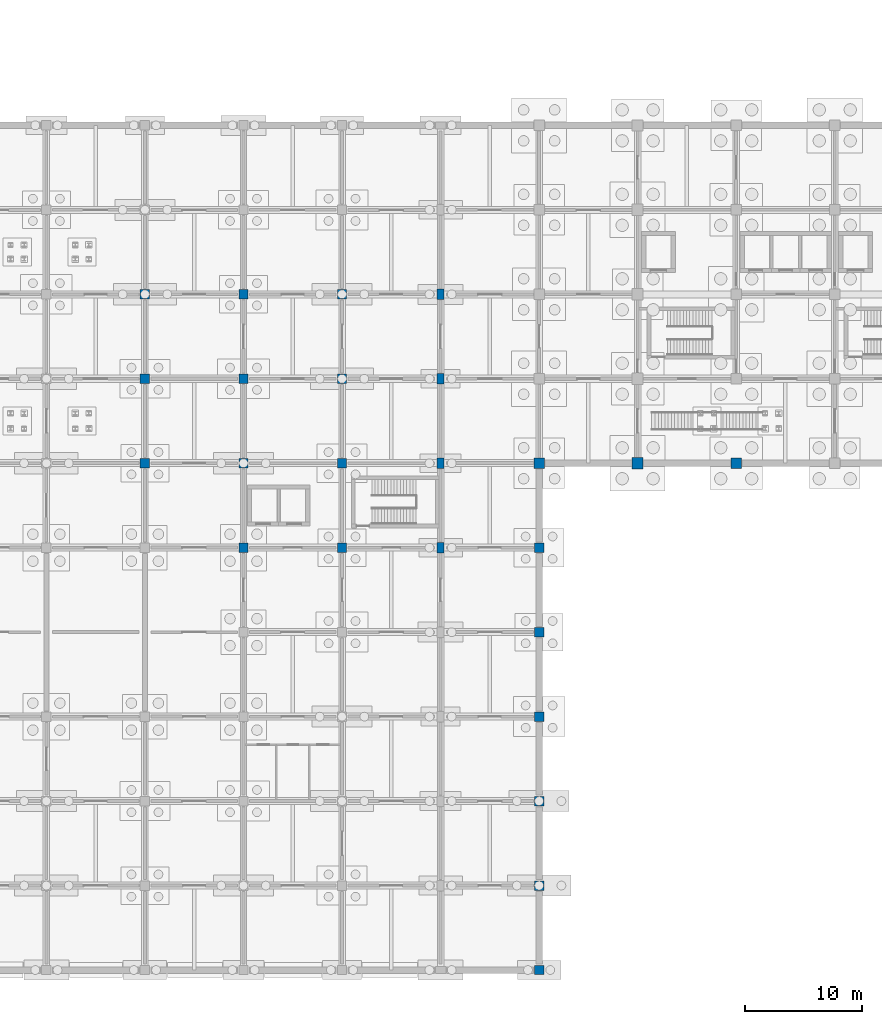
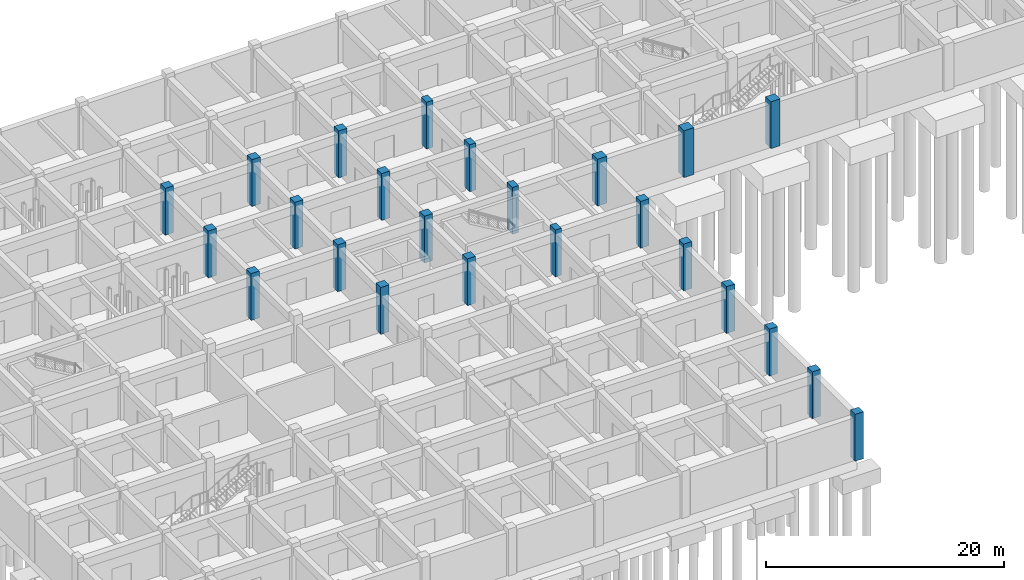
# One storey, part 9 of 38: 24 columns.
"""IFC4 building model written with IfcOpenShell, lengths in metres."""

import ifcopenshell
import ifcopenshell.guid

model = None  # the IFC model being written
_history = None  # IfcOwnerHistory: only IFC2X3 demands one
_inside = {}  # id of a spatial element -> (the spatial element, [elements in it])
_under = {}  # id of a project, library or spatial element -> (it, [spatial elements below it])
_declared = {}  # id of a project -> (the project, [libraries it declares])
_typed = {}  # id of a type object -> (the type object, [elements of that type])
_made_of = {}  # id of a material, layer set ... -> (it, [elements and type objects made of it])


def new_model(schema):
    """Start an empty IFC model of exactly this schema.

    Asked for "IFC4X3", IfcOpenShell would pick the latest addendum, in which some entities
    have other attributes; the version numbers below select the first issue.
    IFC2X3 requires an IfcOwnerHistory on every rooted entity: one is made here for all.
    """
    global model, _history
    if schema == "IFC4X3":
        model = ifcopenshell.file(schema_version=(4, 3, 0, 0))
    else:
        model = ifcopenshell.file(schema=schema)
    _inside.clear()
    _under.clear()
    _declared.clear()
    _typed.clear()
    _made_of.clear()
    _history = None
    if model.schema == "IFC2X3":
        org = make("IfcOrganization", Name="unknown")
        user = make(
            "IfcPersonAndOrganization",
            ThePerson=make("IfcPerson", FamilyName="unknown"),
            TheOrganization=org,
        )
        app = make(
            "IfcApplication",
            ApplicationDeveloper=org,
            Version="unknown",
            ApplicationFullName="unknown",
            ApplicationIdentifier="unknown",
        )
        _history = make(
            "IfcOwnerHistory",
            OwningUser=user,
            OwningApplication=app,
            ChangeAction="ADDED",
            CreationDate=0,
        )
    return model


def make(cls, **values):
    """One entity of the class cls with the attributes given. An attribute that is None is left unset."""
    return model.create_entity(
        cls, **{name: value for name, value in values.items() if value is not None}
    )


def rooted(cls, **values):
    """An entity with a GlobalId (a new one), such as an element, a storey or a relation."""
    return make(cls, GlobalId=ifcopenshell.guid.new(), OwnerHistory=_history, **values)


def si_unit(unit_type, name, prefix=None):
    """IfcSIUnit, for example si_unit("LENGTHUNIT", "METRE", prefix="MILLI")."""
    return make("IfcSIUnit", UnitType=unit_type, Prefix=prefix, Name=name)


def derived_unit(unit_type, elements):
    """IfcDerivedUnit: a product of units, each with its exponent."""
    return make(
        "IfcDerivedUnit",
        Elements=[
            make("IfcDerivedUnitElement", Unit=unit, Exponent=power)
            for unit, power in elements
        ],
        UnitType=unit_type,
    )


def assignment(units):
    """IfcUnitAssignment: the units of a project."""
    return None if units is None else make("IfcUnitAssignment", Units=units)


def point(xyz):
    """IfcCartesianPoint."""
    return None if xyz is None else make("IfcCartesianPoint", Coordinates=xyz)


def direction(xyz):
    """IfcDirection."""
    return None if xyz is None else make("IfcDirection", DirectionRatios=xyz)


def frame(location, z_axis=None, x_axis=None):
    """IfcAxis2Placement3D, a coordinate frame: its origin and axes. An axis left out is left unset."""
    return make(
        "IfcAxis2Placement3D",
        Location=point(location),
        Axis=direction(z_axis),
        RefDirection=direction(x_axis),
    )


def frame_2d(location, x_axis=None):
    """IfcAxis2Placement2D, a coordinate frame in the plane: its origin and x axis."""
    return make(
        "IfcAxis2Placement2D", Location=point(location), RefDirection=direction(x_axis)
    )


def origin():
    """The frame at (0, 0, 0) with its axes left unset."""
    return frame((0.0, 0.0, 0.0))


def origin_2d():
    """The frame at (0, 0) in the plane with its x axis left unset."""
    return frame_2d((0.0, 0.0))


def place(relative_to, where):
    """IfcLocalPlacement: puts the frame where relative to a parent placement (None: the world)."""
    return make(
        "IfcLocalPlacement", PlacementRelTo=relative_to, RelativePlacement=where
    )


def context(
    kind, dimensions, precision=None, world=None, true_north=None, identifier=None
):
    """IfcGeometricRepresentationContext, for example the 3D "Model" context."""
    return make(
        "IfcGeometricRepresentationContext",
        ContextIdentifier=identifier,
        ContextType=kind,
        CoordinateSpaceDimension=dimensions,
        Precision=precision,
        WorldCoordinateSystem=world,
        TrueNorth=true_north,
    )


def subcontext(parent, identifier, kind, view, scale=None):
    """IfcGeometricRepresentationSubContext, for example "Body" below "Model"."""
    return make(
        "IfcGeometricRepresentationSubContext",
        ContextIdentifier=identifier,
        ContextType=kind,
        ParentContext=parent,
        TargetScale=scale,
        TargetView=view,
    )


def project(units=None, contexts=None):
    """IfcProject with its units and contexts."""
    return rooted(
        "IfcProject",
        Name="project",
        RepresentationContexts=contexts,
        UnitsInContext=assignment(units),
    )


def spatial(cls, under=None, at=None, **own):
    """A site, building, storey or space (cls), placed at a placement, below another one or the project."""
    s = rooted(cls, ObjectPlacement=at, **own)
    if under is not None:
        _under.setdefault(under.id(), (under, []))[1].append(s)
    return s


def profile(cls, at=None, kind="AREA", **sizes):
    """A parametric profile (cls). Its sizes go by their IFC names, for example OverallWidth=200.0."""
    return make(cls, ProfileType=kind, Position=at, **sizes)


def rectangle(**sizes):
    """IfcRectangleProfileDef."""
    return profile("IfcRectangleProfileDef", **sizes)


def extrude(swept, where, along, depth):
    """IfcExtrudedAreaSolid: the profile swept, set in the frame where, extruded along a direction by depth."""
    return make(
        "IfcExtrudedAreaSolid",
        SweptArea=swept,
        Position=where,
        ExtrudedDirection=direction(along),
        Depth=depth,
    )


def shape(context_of_items, identifier, shape_type, items):
    """IfcShapeRepresentation: the items that make up one representation, for example the "Body"."""
    return make(
        "IfcShapeRepresentation",
        ContextOfItems=context_of_items,
        RepresentationIdentifier=identifier,
        RepresentationType=shape_type,
        Items=items,
    )


def material(Name=None, Category=None):
    """IfcMaterial."""
    return make("IfcMaterial", Name=Name, Category=Category)


def material_profile(
    of_material, cross_section, Name=None, Category=None, Priority=None
):
    """IfcMaterialProfile: a cross section and its material."""
    return make(
        "IfcMaterialProfile",
        Name=Name,
        Material=of_material,
        Profile=cross_section,
        Priority=Priority,
        Category=Category,
    )


def profile_set(profiles, Name=None, composite=None):
    """IfcMaterialProfileSet."""
    return make(
        "IfcMaterialProfileSet",
        Name=Name,
        MaterialProfiles=profiles,
        CompositeProfile=composite,
    )


def made_of(thing, what):
    """Note that an element or type object is made of a material, layer set ...; save() writes the relation."""
    if what is not None:
        _made_of.setdefault(what.id(), (what, []))[1].append(thing)
    return thing


def type_object(cls, material=None, **own):
    """A type object (cls), such as IfcWallType, which elements share."""
    return made_of(rooted(cls, **own), material)


def element(
    cls,
    number,
    at=None,
    inside=None,
    cuts=None,
    type_object=None,
    material=None,
    context=None,
    identifier="Body",
    shape_type=None,
    held_by="IfcProductDefinitionShape",
    body=None,
    shapes=None,
    **own,
):
    """One element of the class cls, such as IfcWall. Its Tag is "e" and its number.

    at: its placement. inside: the storey or other place that contains it. cuts: it is an
    opening in that element (IfcRelVoidsElement). A single representation is given by context,
    identifier, shape_type and body (its items); several are given by shapes. held_by: the class
    of the entity that holds the representations. save() writes the other relations.
    """
    e = rooted(cls, Tag="e%d" % number, ObjectPlacement=at, **own)
    if body is not None:
        shapes = [shape(context, identifier, shape_type, body)]
    if shapes is not None:
        e.Representation = make(held_by, Representations=shapes)
    if inside is not None:
        _inside.setdefault(inside.id(), (inside, []))[1].append(e)
    if cuts is not None:
        rooted(
            "IfcRelVoidsElement", RelatingBuildingElement=cuts, RelatedOpeningElement=e
        )
    if type_object is not None:
        _typed.setdefault(type_object.id(), (type_object, []))[1].append(e)
    return made_of(e, material)


def aggregate(whole, parts):
    """IfcRelAggregates: a whole, such as a stair, and the parts it consists of."""
    return rooted("IfcRelAggregates", RelatingObject=whole, RelatedObjects=parts)


def save(model, path):
    """Write the relations noted so far, then the file.

    IfcRelAggregates (storeys below a building ...), IfcRelContainedInSpatialStructure (elements
    in a storey), IfcRelDefinesByType, IfcRelAssociatesMaterial and IfcRelDeclares: one each for
    every whole, place, type object, material and project.
    """
    for whole, parts in _under.values():
        aggregate(whole, parts)
    for where, things in _inside.values():
        rooted(
            "IfcRelContainedInSpatialStructure",
            RelatedElements=things,
            RelatingStructure=where,
        )
    for kind, things in _typed.values():
        rooted("IfcRelDefinesByType", RelatedObjects=things, RelatingType=kind)
    for what, things in _made_of.values():
        rooted("IfcRelAssociatesMaterial", RelatedObjects=things, RelatingMaterial=what)
    for by, libraries in _declared.values():
        rooted("IfcRelDeclares", RelatingContext=by, RelatedDefinitions=libraries)
    model.write(path)


model = new_model("IFC4")

# Units and contexts
model_context = context("Model", 3, precision=1e-05, world=origin(), true_north=direction((0.0, 1.0)))
body_context = subcontext(model_context, "Body", "Model", "MODEL_VIEW")
ifc_project = project(units=[si_unit("LENGTHUNIT", "METRE"), si_unit("AREAUNIT", "SQUARE_METRE"), si_unit("VOLUMEUNIT", "CUBIC_METRE"), si_unit("PLANEANGLEUNIT", "RADIAN"), si_unit("MASSUNIT", "GRAM", prefix="KILO"), derived_unit("THERMALTRANSMITTANCEUNIT", [(si_unit("MASSUNIT", "GRAM", prefix="KILO"), 1), (si_unit("TIMEUNIT", "SECOND"), -3), (si_unit("THERMODYNAMICTEMPERATUREUNIT", "KELVIN"), -1)])], contexts=[model_context])

# Site, building, storey
site_placement = place(None, origin())
site = spatial("IfcSite", under=ifc_project, at=site_placement, CompositionType="ELEMENT")
building_placement = place(site_placement, origin())
building = spatial("IfcBuilding", under=site, at=building_placement, Name="Veldstrom Oceanarium and Marine Research Institute", CompositionType="ELEMENT")
storey_placement = place(building_placement, frame((0.0, 0.0, -9.60009765625)))
storey = spatial("IfcBuildingStorey", under=building, at=storey_placement, Name="B02", CompositionType="ELEMENT", Elevation=-9.60009765625)

# Columns
ifc_material_1 = material(Name="Concrete C50/60", Category="concrete")
ifc_material_profile_1 = material_profile(ifc_material_1, rectangle(XDim=0.949951171875, YDim=0.949951171875, at=origin_2d()), Name="RC-COL-950x950")
ifc_profile_set_1 = profile_set([ifc_material_profile_1], Name="Concrete C50/60")
column_type_1 = type_object("IfcColumnType", Name="STR-COL-C01", PredefinedType="COLUMN", material=ifc_profile_set_1)
column_placement = place(storey_placement, frame((75.60009765625, 43.199951171875, 0.0), z_axis=(0.0, 0.0, 1.0), x_axis=(1.0, 0.0, 0.0)))
element("IfcColumn", 1, at=column_placement, inside=storey, type_object=column_type_1, Name="Column C01 10/G B02", PredefinedType="COLUMN", context=body_context, shape_type="SweptSolid", body=[
    extrude(rectangle(XDim=0.949951171875, YDim=0.949951171875, at=origin_2d()), origin(), (0.0, 0.0, 1.0), 4.800048828125),
])
ifc_material_2 = material(Name="Concrete C50/60", Category="concrete")
ifc_material_profile_2 = material_profile(ifc_material_2, rectangle(XDim=0.89990234375, YDim=0.89990234375, at=origin_2d()), Name="RC-COL-900x900")
ifc_profile_set_2 = profile_set([ifc_material_profile_2], Name="Concrete C50/60")
column_type_2 = type_object("IfcColumnType", Name="STR-COL-C02", PredefinedType="COLUMN", material=ifc_profile_set_2)
for number, where, z_axis, x_axis, name in (
    (2, (67.199951171875, 43.199951171875, 0.0), (0.0, 0.0, 1.0), (1.0, 0.0, 0.0), "Column C02 9/G B02"),
    (3, (84.0, 43.199951171875, 0.0), (0.0, 0.0, 1.0), (1.0, 0.0, 0.0), "Column C02 11/G B02"),
):
    element("IfcColumn", number, at=place(storey_placement, frame(where, z_axis=z_axis, x_axis=x_axis)), inside=storey, type_object=column_type_2, Name=name, PredefinedType="COLUMN", context=body_context, shape_type="SweptSolid", body=[
        extrude(rectangle(XDim=0.89990234375, YDim=0.89990234375, at=origin_2d()), origin(), (0.0, 0.0, 1.0), 4.800048828125),
    ])
ifc_material_3 = material(Name="Concrete C50/60", Category="concrete")
ifc_material_profile_3 = material_profile(ifc_material_3, rectangle(XDim=0.800048828125, YDim=0.800048828125, at=origin_2d()), Name="RC-COL-800x800")
ifc_profile_set_3 = profile_set([ifc_material_profile_3], Name="Concrete C50/60")
column_type_3 = type_object("IfcColumnType", Name="STR-COL-C04", PredefinedType="COLUMN", material=ifc_profile_set_3)
for number, where, z_axis, x_axis, name in (
    (4, (33.60009765625, 43.199951171875, 0.0), (0.0, 0.0, 1.0), (1.0, 0.0, 0.0), "Column C04 5/G B02"),
    (5, (33.60009765625, 50.39990234375, 0.0), (0.0, 0.0, 1.0), (1.0, 0.0, 0.0), "Column C04 5/H B02"),
    (6, (33.60009765625, 57.60009765625, 0.0), (0.0, 0.0, 1.0), (1.0, 0.0, 0.0), "Column C04 5/J B02"),
    (7, (42.0, 36.0, 0.0), (0.0, 0.0, 1.0), (1.0, 0.0, 0.0), "Column C04 6/F B02"),
    (8, (42.0, 43.199951171875, 0.0), (0.0, 0.0, 1.0), (1.0, 0.0, 0.0), "Column C04 6/G B02"),
    (9, (42.0, 50.39990234375, 0.0), (0.0, 0.0, 1.0), (1.0, 0.0, 0.0), "Column C04 6/H B02"),
    (10, (42.0, 57.60009765625, 0.0), (0.0, 0.0, 1.0), (1.0, 0.0, 0.0), "Column C04 6/J B02"),
    (11, (50.39990234375, 36.0, 0.0), (0.0, 0.0, 1.0), (1.0, 0.0, 0.0), "Column C04 7/F B02"),
    (12, (50.39990234375, 43.199951171875, 0.0), (0.0, 0.0, 1.0), (1.0, 0.0, 0.0), "Column C04 7/G B02"),
    (13, (50.39990234375, 50.39990234375, 0.0), (0.0, 0.0, 1.0), (1.0, 0.0, 0.0), "Column C04 7/H B02"),
    (14, (50.39990234375, 57.60009765625, 0.0), (0.0, 0.0, 1.0), (1.0, 0.0, 0.0), "Column C04 7/J B02"),
    (15, (67.199951171875, 0.0, 0.0), (0.0, 0.0, 1.0), (1.0, 0.0, 0.0), "Column C04 9/A B02"),
    (16, (67.199951171875, 7.199951171875, 0.0), (0.0, 0.0, 1.0), (1.0, 0.0, 0.0), "Column C04 9/B B02"),
    (17, (67.199951171875, 14.39990234375, 0.0), (0.0, 0.0, 1.0), (1.0, 0.0, 0.0), "Column C04 9/C B02"),
    (18, (67.199951171875, 21.60009765625, 0.0), (0.0, 0.0, 1.0), (1.0, 0.0, 0.0), "Column C04 9/D B02"),
    (19, (67.199951171875, 28.800048828125, 0.0), (0.0, 0.0, 1.0), (1.0, 0.0, 0.0), "Column C04 9/E B02"),
    (20, (67.199951171875, 36.0, 0.0), (0.0, 0.0, 1.0), (1.0, 0.0, 0.0), "Column C04 9/F B02"),
):
    element("IfcColumn", number, at=place(storey_placement, frame(where, z_axis=z_axis, x_axis=x_axis)), inside=storey, type_object=column_type_3, Name=name, PredefinedType="COLUMN", context=body_context, shape_type="SweptSolid", body=[
        extrude(rectangle(XDim=0.800048828125, YDim=0.800048828125, at=origin_2d()), origin(), (0.0, 0.0, 1.0), 4.800048828125),
    ])
ifc_material_4 = material(Name="Concrete C50/60", Category="concrete")
ifc_material_profile_4 = material_profile(ifc_material_4, rectangle(XDim=0.60009765625, YDim=0.89990234375, at=origin_2d()), Name="RC-COL-900x600")
ifc_profile_set_4 = profile_set([ifc_material_profile_4], Name="Concrete C50/60")
column_type_4 = type_object("IfcColumnType", Name="STR-COL-C11", PredefinedType="COLUMN", material=ifc_profile_set_4)
for number, where, z_axis, x_axis, name in (
    (21, (58.800048828125, 36.0, 0.0), (0.0, 0.0, 1.0), (1.0, 0.0, 0.0), "Column C11 8/F B02"),
    (22, (58.800048828125, 43.199951171875, 0.0), (0.0, 0.0, 1.0), (1.0, 0.0, 0.0), "Column C11 8/G B02"),
    (23, (58.800048828125, 50.39990234375, 0.0), (0.0, 0.0, 1.0), (1.0, 0.0, 0.0), "Column C11 8/H B02"),
    (24, (58.800048828125, 57.60009765625, 0.0), (0.0, 0.0, 1.0), (1.0, 0.0, 0.0), "Column C11 8/J B02"),
):
    element("IfcColumn", number, at=place(storey_placement, frame(where, z_axis=z_axis, x_axis=x_axis)), inside=storey, type_object=column_type_4, Name=name, PredefinedType="COLUMN", context=body_context, shape_type="SweptSolid", body=[
        extrude(rectangle(XDim=0.60009765625, YDim=0.89990234375, at=origin_2d()), origin(), (0.0, 0.0, 1.0), 4.800048828125),
    ])

save(model, "model.ifc")
